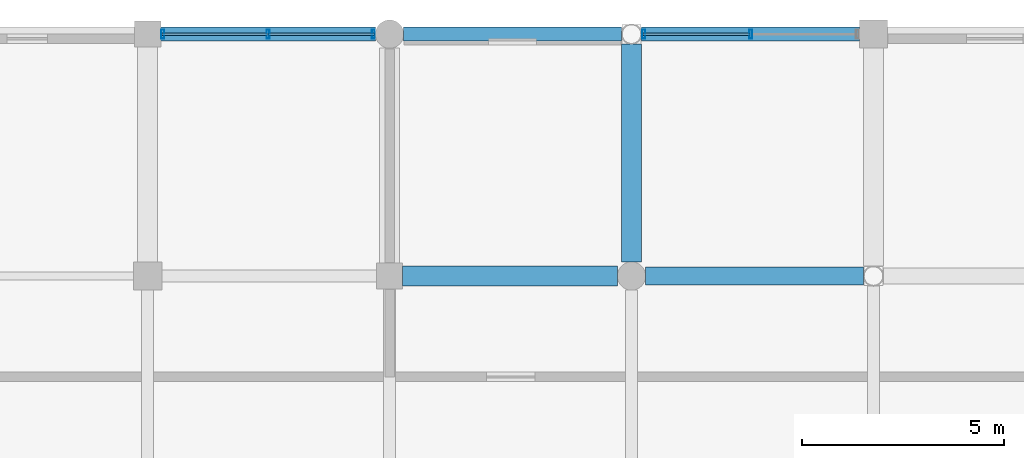
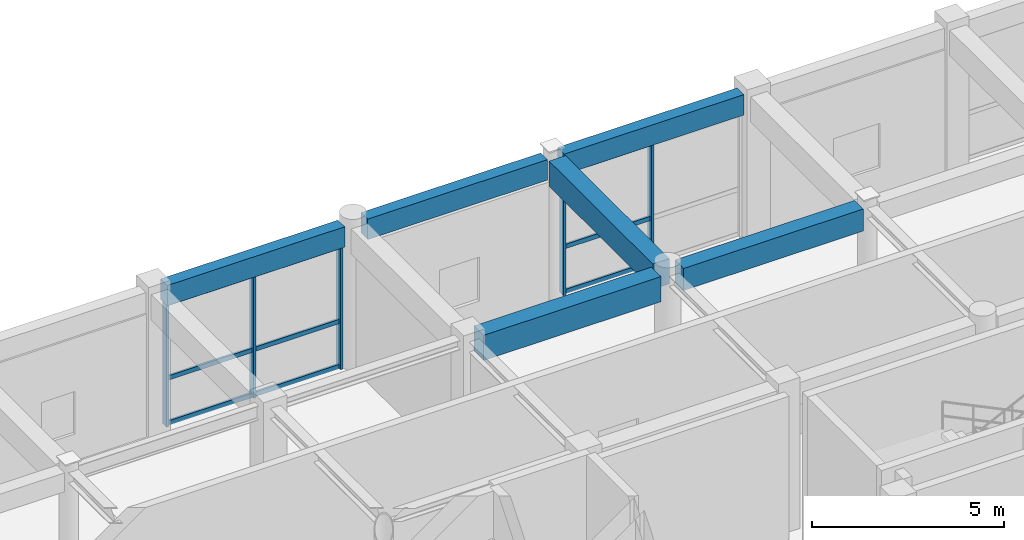
# One storey, part 75 of 112: 14 members, 6 beams, 2 elements without a shape of their own.
"""IFC4 building model written with IfcOpenShell, lengths in metres."""

from ifc_helpers import new_model, si_unit, direction, frame, origin, origin_2d, place, context, subcontext, project, spatial, rectangle, hollow_rectangle, extrude, material, material_profile, profile_set, type_object, element, aggregate, save


model = new_model("IFC4")

# Units and contexts
model_context = context("Model", 3, precision=1e-05, world=origin(), true_north=direction((0.0, 1.0)))
body_context = subcontext(model_context, "Body", "Model", "MODEL_VIEW")
ifc_project = project(units=[si_unit("LENGTHUNIT", "METRE"), si_unit("AREAUNIT", "SQUARE_METRE"), si_unit("VOLUMEUNIT", "CUBIC_METRE"), si_unit("PLANEANGLEUNIT", "RADIAN"), si_unit("MASSUNIT", "GRAM", prefix="KILO"), si_unit("THERMODYNAMICTEMPERATUREUNIT", "KELVIN"), si_unit("POWERUNIT", "WATT")], contexts=[model_context])

# Site, building, storey
site_placement = place(None, origin())
site = spatial("IfcSite", under=ifc_project, at=site_placement, CompositionType="ELEMENT")
building_placement = place(site_placement, origin())
building = spatial("IfcBuilding", under=site, at=building_placement, Name="Phaisarnlok Congress Hotel", CompositionType="ELEMENT")
storey_placement = place(building_placement, frame((0.0, 0.0, 19.800048828125)))
storey = spatial("IfcBuildingStorey", under=building, at=storey_placement, Name="L04", CompositionType="ELEMENT", Elevation=19.800048828125)

# Beams
ifc_material_1 = material(Name="Concrete C40/50", Category="concrete")
ifc_material_profile_1 = material_profile(ifc_material_1, rectangle(XDim=0.449951171875, YDim=0.699951171875, at=origin_2d()), Name="RC 450x700")
ifc_profile_set_1 = profile_set([ifc_material_profile_1], Name="Concrete C40/50")
beam_type_1 = type_object("IfcBeamType", Name="BM-RC-450x700", PredefinedType="BEAM", material=ifc_profile_set_1)
beam_1_placement = place(storey_placement, frame((156.344970703125, 120.0, 4.199951171875), z_axis=(1.0, 0.0, 0.0), x_axis=(0.0, 1.0, 0.0)))
element("IfcBeam", 1, at=beam_1_placement, inside=storey, type_object=beam_type_1, Name="Beam B-03", PredefinedType="BEAM", context=body_context, shape_type="SweptSolid", body=[
    extrude(rectangle(XDim=0.449951171875, YDim=0.699951171875, at=origin_2d()), origin(), (0.0, 0.0, 1.0), 5.406005859375),
])
ifc_material_profile_2 = material_profile(ifc_material_1, rectangle(XDim=0.5, YDim=0.800048828125, at=origin_2d()), Name="RC 500x800")
ifc_profile_set_2 = profile_set([ifc_material_profile_2], Name="Concrete C40/50")
beam_type_2 = type_object("IfcBeamType", Name="BM-RC-500x800", PredefinedType="BEAM", material=ifc_profile_set_2)
beam_2_placement = place(storey_placement, frame((150.320068359375, 120.0, 4.14990234375), z_axis=(1.0, 0.0, 0.0), x_axis=(0.0, 1.0, 0.0)))
element("IfcBeam", 2, at=beam_2_placement, inside=storey, type_object=beam_type_2, Name="Beam B-04", PredefinedType="BEAM", context=body_context, shape_type="SweptSolid", body=[
    extrude(rectangle(XDim=0.5, YDim=0.800048828125, at=origin_2d()), origin(), (0.0, 0.0, 1.0), 5.3349609375),
])
beam_3_placement = place(storey_placement, frame((156.0, 120.344970703125, 4.14990234375), z_axis=(0.0, 1.0, 0.0), x_axis=(-1.0, 0.0, 0.0)))
element("IfcBeam", 3, at=beam_3_placement, inside=storey, type_object=beam_type_2, Name="Beam B-04", PredefinedType="BEAM", context=body_context, shape_type="SweptSolid", body=[
    extrude(rectangle(XDim=0.5, YDim=0.800048828125, at=origin_2d()), origin(), (0.0, 0.0, 1.0), 5.406005859375),
])

# Curtain wall, members
ifc_material_2 = material(Name="Thermally Broken Unitised Aluminium & Low-E Glazing", Category="aluminium")
curtain_wall_type_1 = type_object("IfcCurtainWallType", Name="CW-UNIT-34", PredefinedType="NOTDEFINED", material=ifc_material_2)
curtain_wall_1_placement = place(storey_placement, origin())
curtain_wall_1 = element("IfcCurtainWall", 4, at=curtain_wall_1_placement, inside=storey, type_object=curtain_wall_type_1, Name="Unitised curtain wall CW-34 (L04)", PredefinedType="NOTDEFINED")
ifc_material_3 = material(Name="Anodised Aluminium Alloy 6063-T6", Category="aluminium")
ifc_material_profile_3 = material_profile(ifc_material_3, hollow_rectangle(XDim=0.074951171875, YDim=0.219970703125, WallThickness=0.0048828125, at=origin_2d()), Name="ALU-M 75x220x5")
ifc_profile_set_3 = profile_set([ifc_material_profile_3], Name="Anodised Aluminium Alloy 6063-T6")
member_type_1 = type_object("IfcMemberType", Name="CWM-220", PredefinedType="MULLION", material=ifc_profile_set_3)
member_1_placement = place(storey_placement, frame((158.951904296875, 126.0, 0.0), z_axis=(0.0, 0.0, 1.0), x_axis=(-1.0, 0.0, 0.0)))
member_1 = element("IfcMember", 5, at=member_1_placement, type_object=member_type_1, Name="Curtain wall mullion CWM-02", PredefinedType="MULLION", context=body_context, shape_type="SweptSolid", body=[
    extrude(hollow_rectangle(XDim=0.074951171875, YDim=0.219970703125, WallThickness=0.0048828125, at=origin_2d()), origin(), (0.0, 0.0, 1.0), 3.89990234375),
])
member_2_placement = place(storey_placement, frame((156.303955078125, 126.0, 0.0), z_axis=(0.0, 0.0, 1.0), x_axis=(-1.0, 0.0, 0.0)))
member_2 = element("IfcMember", 6, at=member_2_placement, type_object=member_type_1, Name="Curtain wall mullion CWM-02", PredefinedType="MULLION", context=body_context, shape_type="SweptSolid", body=[
    extrude(hollow_rectangle(XDim=0.074951171875, YDim=0.219970703125, WallThickness=0.0048828125, at=origin_2d()), origin(), (0.0, 0.0, 1.0), 3.89990234375),
])

curtain_wall_type_2 = type_object("IfcCurtainWallType", Name="CW-UNIT-33", PredefinedType="NOTDEFINED", material=ifc_material_2)
curtain_wall_2_placement = place(storey_placement, origin())
curtain_wall_2 = element("IfcCurtainWall", 7, at=curtain_wall_2_placement, inside=storey, type_object=curtain_wall_type_2, Name="Unitised curtain wall CW-33 (L04)", PredefinedType="NOTDEFINED")
member_3_placement = place(storey_placement, frame((149.60009765625, 126.0, 0.0), z_axis=(0.0, 0.0, 1.0), x_axis=(-1.0, 0.0, 0.0)))
member_3 = element("IfcMember", 8, at=member_3_placement, type_object=member_type_1, Name="Curtain wall mullion CWM-02", PredefinedType="MULLION", context=body_context, shape_type="SweptSolid", body=[
    extrude(hollow_rectangle(XDim=0.074951171875, YDim=0.219970703125, WallThickness=0.0048828125, at=origin_2d()), origin(), (0.0, 0.0, 1.0), 3.89990234375),
])
member_4_placement = place(storey_placement, frame((146.987548828125, 126.0, 0.0), z_axis=(0.0, 0.0, 1.0), x_axis=(-1.0, 0.0, 0.0)))
member_4 = element("IfcMember", 9, at=member_4_placement, type_object=member_type_1, Name="Curtain wall mullion CWM-02", PredefinedType="MULLION", context=body_context, shape_type="SweptSolid", body=[
    extrude(hollow_rectangle(XDim=0.074951171875, YDim=0.219970703125, WallThickness=0.0048828125, at=origin_2d()), origin(), (0.0, 0.0, 1.0), 3.89990234375),
])
member_5_placement = place(storey_placement, frame((144.375, 126.0, 0.0), z_axis=(0.0, 0.0, 1.0), x_axis=(-1.0, 0.0, 0.0)))
member_5 = element("IfcMember", 10, at=member_5_placement, type_object=member_type_1, Name="Curtain wall mullion CWM-02", PredefinedType="MULLION", context=body_context, shape_type="SweptSolid", body=[
    extrude(hollow_rectangle(XDim=0.074951171875, YDim=0.219970703125, WallThickness=0.0048828125, at=origin_2d()), origin(), (0.0, 0.0, 1.0), 3.89990234375),
])

# Member
ifc_material_profile_4 = material_profile(ifc_material_3, hollow_rectangle(XDim=0.06494140625, YDim=0.139892578125, WallThickness=0.00390625, at=origin_2d()), Name="ALU-T 65x140x4")
ifc_profile_set_4 = profile_set([ifc_material_profile_4], Name="Anodised Aluminium Alloy 6063-T6")
member_type_2 = type_object("IfcMemberType", Name="CWT-150", PredefinedType="USERDEFINED", material=ifc_profile_set_4)
member_6_placement = place(storey_placement, frame((158.93701171875, 126.0, 0.050048828125), z_axis=(-1.0, 0.0, 0.0), x_axis=(0.0, -1.0, 0.0)))
member_6 = element("IfcMember", 11, at=member_6_placement, type_object=member_type_2, Name="Curtain wall transom CWT-01", ObjectType="TRANSOM", PredefinedType="USERDEFINED", context=body_context, shape_type="SweptSolid", body=[
    extrude(hollow_rectangle(XDim=0.06494140625, YDim=0.139892578125, WallThickness=0.00390625, at=origin_2d()), origin(), (0.0, 0.0, 1.0), 2.657958984375),
])

member_7_placement = place(storey_placement, frame((158.93701171875, 126.0, 1.48193359375), z_axis=(-1.0, 0.0, 0.0), x_axis=(0.0, -1.0, 0.0)))
member_7 = element("IfcMember", 12, at=member_7_placement, type_object=member_type_2, Name="Curtain wall transom CWT-01", ObjectType="TRANSOM", PredefinedType="USERDEFINED", context=body_context, shape_type="SweptSolid", body=[
    extrude(hollow_rectangle(XDim=0.06494140625, YDim=0.139892578125, WallThickness=0.00390625, at=origin_2d()), origin(), (0.0, 0.0, 1.0), 2.657958984375),
])

member_8_placement = place(storey_placement, frame((158.93701171875, 126.0, 3.849853515625), z_axis=(-1.0, 0.0, 0.0), x_axis=(0.0, -1.0, 0.0)))
member_8 = element("IfcMember", 13, at=member_8_placement, type_object=member_type_2, Name="Curtain wall transom CWT-01", ObjectType="TRANSOM", PredefinedType="USERDEFINED", context=body_context, shape_type="SweptSolid", body=[
    extrude(hollow_rectangle(XDim=0.06494140625, YDim=0.139892578125, WallThickness=0.00390625, at=origin_2d()), origin(), (0.0, 0.0, 1.0), 2.657958984375),
])

aggregate(curtain_wall_1, [member_1, member_2, member_6, member_7, member_8])

member_9_placement = place(storey_placement, frame((149.625, 126.0, 0.050048828125), z_axis=(-1.0, 0.0, 0.0), x_axis=(0.0, -1.0, 0.0)))
member_9 = element("IfcMember", 14, at=member_9_placement, type_object=member_type_2, Name="Curtain wall transom CWT-01", ObjectType="TRANSOM", PredefinedType="USERDEFINED", context=body_context, shape_type="SweptSolid", body=[
    extrude(hollow_rectangle(XDim=0.06494140625, YDim=0.139892578125, WallThickness=0.00390625, at=origin_2d()), origin(), (0.0, 0.0, 1.0), 2.62255859375),
])

member_10_placement = place(storey_placement, frame((149.625, 126.0, 1.48193359375), z_axis=(-1.0, 0.0, 0.0), x_axis=(0.0, -1.0, 0.0)))
member_10 = element("IfcMember", 15, at=member_10_placement, type_object=member_type_2, Name="Curtain wall transom CWT-01", ObjectType="TRANSOM", PredefinedType="USERDEFINED", context=body_context, shape_type="SweptSolid", body=[
    extrude(hollow_rectangle(XDim=0.06494140625, YDim=0.139892578125, WallThickness=0.00390625, at=origin_2d()), origin(), (0.0, 0.0, 1.0), 2.62255859375),
])

member_11_placement = place(storey_placement, frame((149.625, 126.0, 3.849853515625), z_axis=(-1.0, 0.0, 0.0), x_axis=(0.0, -1.0, 0.0)))
member_11 = element("IfcMember", 16, at=member_11_placement, type_object=member_type_2, Name="Curtain wall transom CWT-01", ObjectType="TRANSOM", PredefinedType="USERDEFINED", context=body_context, shape_type="SweptSolid", body=[
    extrude(hollow_rectangle(XDim=0.06494140625, YDim=0.139892578125, WallThickness=0.00390625, at=origin_2d()), origin(), (0.0, 0.0, 1.0), 2.62255859375),
])

member_12_placement = place(storey_placement, frame((146.972412109375, 126.0, 0.050048828125), z_axis=(-1.0, 0.0, 0.0), x_axis=(0.0, -1.0, 0.0)))
member_12 = element("IfcMember", 17, at=member_12_placement, type_object=member_type_2, Name="Curtain wall transom CWT-01", ObjectType="TRANSOM", PredefinedType="USERDEFINED", context=body_context, shape_type="SweptSolid", body=[
    extrude(hollow_rectangle(XDim=0.06494140625, YDim=0.139892578125, WallThickness=0.00390625, at=origin_2d()), origin(), (0.0, 0.0, 1.0), 2.622314453125),
])

member_13_placement = place(storey_placement, frame((146.972412109375, 126.0, 1.48193359375), z_axis=(-1.0, 0.0, 0.0), x_axis=(0.0, -1.0, 0.0)))
member_13 = element("IfcMember", 18, at=member_13_placement, type_object=member_type_2, Name="Curtain wall transom CWT-01", ObjectType="TRANSOM", PredefinedType="USERDEFINED", context=body_context, shape_type="SweptSolid", body=[
    extrude(hollow_rectangle(XDim=0.06494140625, YDim=0.139892578125, WallThickness=0.00390625, at=origin_2d()), origin(), (0.0, 0.0, 1.0), 2.622314453125),
])

member_14_placement = place(storey_placement, frame((146.972412109375, 126.0, 3.849853515625), z_axis=(-1.0, 0.0, 0.0), x_axis=(0.0, -1.0, 0.0)))
member_14 = element("IfcMember", 19, at=member_14_placement, type_object=member_type_2, Name="Curtain wall transom CWT-01", ObjectType="TRANSOM", PredefinedType="USERDEFINED", context=body_context, shape_type="SweptSolid", body=[
    extrude(hollow_rectangle(XDim=0.06494140625, YDim=0.139892578125, WallThickness=0.00390625, at=origin_2d()), origin(), (0.0, 0.0, 1.0), 2.622314453125),
])

aggregate(curtain_wall_2, [member_3, member_4, member_5, member_9, member_10, member_11, member_12, member_13, member_14])

# Beams
ifc_material_profile_5 = material_profile(ifc_material_1, rectangle(XDim=0.35009765625, YDim=0.64990234375, at=origin_2d()), Name="RC 350x650")
ifc_profile_set_5 = profile_set([ifc_material_profile_5], Name="Concrete C40/50")
beam_type_3 = type_object("IfcBeamType", Name="SP-RC-350x650", PredefinedType="SPANDREL", material=ifc_profile_set_5)
beam_4_placement = place(storey_placement, frame((144.320068359375, 126.0, 4.224853515625), z_axis=(1.0, 0.0, 0.0), x_axis=(0.0, 1.0, 0.0)))
element("IfcBeam", 20, at=beam_4_placement, inside=storey, type_object=beam_type_3, Name="Beam SP-01", PredefinedType="SPANDREL", context=body_context, shape_type="SweptSolid", body=[
    extrude(rectangle(XDim=0.35009765625, YDim=0.64990234375, at=origin_2d()), origin(), (0.0, 0.0, 1.0), 5.3349609375),
])
for number, where, z_axis, x_axis, name in (
    (21, (150.344970703125, 126.0, 4.224853515625), (1.0, 0.0, 0.0), (0.0, 1.0, 0.0), "Beam SP-01"),
    (22, (156.2490234375, 126.0, 4.224853515625), (1.0, 0.0, 0.0), (0.0, 1.0, 0.0), "Beam SP-01"),
):
    element("IfcBeam", number, at=place(storey_placement, frame(where, z_axis=z_axis, x_axis=x_axis)), inside=storey, type_object=beam_type_3, Name=name, PredefinedType="SPANDREL", context=body_context, shape_type="SweptSolid", body=[
        extrude(rectangle(XDim=0.35009765625, YDim=0.64990234375, at=origin_2d()), origin(), (0.0, 0.0, 1.0), 5.406005859375),
    ])

save(model, "model.ifc")
